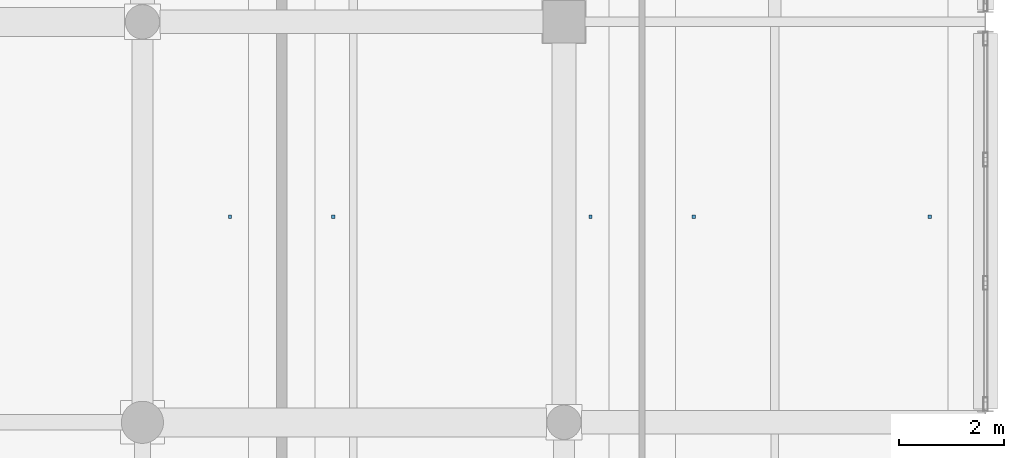
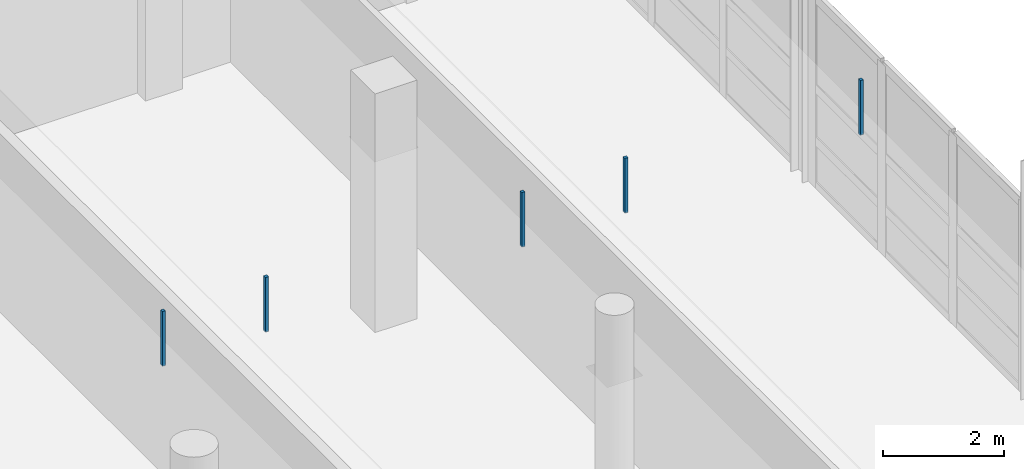
# One storey, part 114 of 147: 5 discrete accessories.
"""IFC4 building model written with IfcOpenShell, lengths in metres."""

import ifcopenshell
import ifcopenshell.guid

model = None  # the IFC model being written
_history = None  # IfcOwnerHistory: only IFC2X3 demands one
_inside = {}  # id of a spatial element -> (the spatial element, [elements in it])
_under = {}  # id of a project, library or spatial element -> (it, [spatial elements below it])
_declared = {}  # id of a project -> (the project, [libraries it declares])
_typed = {}  # id of a type object -> (the type object, [elements of that type])
_made_of = {}  # id of a material, layer set ... -> (it, [elements and type objects made of it])


def new_model(schema):
    """Start an empty IFC model of exactly this schema.

    Asked for "IFC4X3", IfcOpenShell would pick the latest addendum, in which some entities
    have other attributes; the version numbers below select the first issue.
    IFC2X3 requires an IfcOwnerHistory on every rooted entity: one is made here for all.
    """
    global model, _history
    if schema == "IFC4X3":
        model = ifcopenshell.file(schema_version=(4, 3, 0, 0))
    else:
        model = ifcopenshell.file(schema=schema)
    _inside.clear()
    _under.clear()
    _declared.clear()
    _typed.clear()
    _made_of.clear()
    _history = None
    if model.schema == "IFC2X3":
        org = make("IfcOrganization", Name="unknown")
        user = make(
            "IfcPersonAndOrganization",
            ThePerson=make("IfcPerson", FamilyName="unknown"),
            TheOrganization=org,
        )
        app = make(
            "IfcApplication",
            ApplicationDeveloper=org,
            Version="unknown",
            ApplicationFullName="unknown",
            ApplicationIdentifier="unknown",
        )
        _history = make(
            "IfcOwnerHistory",
            OwningUser=user,
            OwningApplication=app,
            ChangeAction="ADDED",
            CreationDate=0,
        )
    return model


def make(cls, **values):
    """One entity of the class cls with the attributes given. An attribute that is None is left unset."""
    return model.create_entity(
        cls, **{name: value for name, value in values.items() if value is not None}
    )


def rooted(cls, **values):
    """An entity with a GlobalId (a new one), such as an element, a storey or a relation."""
    return make(cls, GlobalId=ifcopenshell.guid.new(), OwnerHistory=_history, **values)


def si_unit(unit_type, name, prefix=None):
    """IfcSIUnit, for example si_unit("LENGTHUNIT", "METRE", prefix="MILLI")."""
    return make("IfcSIUnit", UnitType=unit_type, Prefix=prefix, Name=name)


def assignment(units):
    """IfcUnitAssignment: the units of a project."""
    return None if units is None else make("IfcUnitAssignment", Units=units)


def point(xyz):
    """IfcCartesianPoint."""
    return None if xyz is None else make("IfcCartesianPoint", Coordinates=xyz)


def direction(xyz):
    """IfcDirection."""
    return None if xyz is None else make("IfcDirection", DirectionRatios=xyz)


def frame(location, z_axis=None, x_axis=None):
    """IfcAxis2Placement3D, a coordinate frame: its origin and axes. An axis left out is left unset."""
    return make(
        "IfcAxis2Placement3D",
        Location=point(location),
        Axis=direction(z_axis),
        RefDirection=direction(x_axis),
    )


def frame_2d(location, x_axis=None):
    """IfcAxis2Placement2D, a coordinate frame in the plane: its origin and x axis."""
    return make(
        "IfcAxis2Placement2D", Location=point(location), RefDirection=direction(x_axis)
    )


def origin():
    """The frame at (0, 0, 0) with its axes left unset."""
    return frame((0.0, 0.0, 0.0))


def origin_2d():
    """The frame at (0, 0) in the plane with its x axis left unset."""
    return frame_2d((0.0, 0.0))


def place(relative_to, where):
    """IfcLocalPlacement: puts the frame where relative to a parent placement (None: the world)."""
    return make(
        "IfcLocalPlacement", PlacementRelTo=relative_to, RelativePlacement=where
    )


def context(
    kind, dimensions, precision=None, world=None, true_north=None, identifier=None
):
    """IfcGeometricRepresentationContext, for example the 3D "Model" context."""
    return make(
        "IfcGeometricRepresentationContext",
        ContextIdentifier=identifier,
        ContextType=kind,
        CoordinateSpaceDimension=dimensions,
        Precision=precision,
        WorldCoordinateSystem=world,
        TrueNorth=true_north,
    )


def subcontext(parent, identifier, kind, view, scale=None):
    """IfcGeometricRepresentationSubContext, for example "Body" below "Model"."""
    return make(
        "IfcGeometricRepresentationSubContext",
        ContextIdentifier=identifier,
        ContextType=kind,
        ParentContext=parent,
        TargetScale=scale,
        TargetView=view,
    )


def project(units=None, contexts=None):
    """IfcProject with its units and contexts."""
    return rooted(
        "IfcProject",
        Name="project",
        RepresentationContexts=contexts,
        UnitsInContext=assignment(units),
    )


def spatial(cls, under=None, at=None, **own):
    """A site, building, storey or space (cls), placed at a placement, below another one or the project."""
    s = rooted(cls, ObjectPlacement=at, **own)
    if under is not None:
        _under.setdefault(under.id(), (under, []))[1].append(s)
    return s


def profile(cls, at=None, kind="AREA", **sizes):
    """A parametric profile (cls). Its sizes go by their IFC names, for example OverallWidth=200.0."""
    return make(cls, ProfileType=kind, Position=at, **sizes)


def rectangle(**sizes):
    """IfcRectangleProfileDef."""
    return profile("IfcRectangleProfileDef", **sizes)


def extrude(swept, where, along, depth):
    """IfcExtrudedAreaSolid: the profile swept, set in the frame where, extruded along a direction by depth."""
    return make(
        "IfcExtrudedAreaSolid",
        SweptArea=swept,
        Position=where,
        ExtrudedDirection=direction(along),
        Depth=depth,
    )


def shape(context_of_items, identifier, shape_type, items):
    """IfcShapeRepresentation: the items that make up one representation, for example the "Body"."""
    return make(
        "IfcShapeRepresentation",
        ContextOfItems=context_of_items,
        RepresentationIdentifier=identifier,
        RepresentationType=shape_type,
        Items=items,
    )


def material(Name=None, Category=None):
    """IfcMaterial."""
    return make("IfcMaterial", Name=Name, Category=Category)


def made_of(thing, what):
    """Note that an element or type object is made of a material, layer set ...; save() writes the relation."""
    if what is not None:
        _made_of.setdefault(what.id(), (what, []))[1].append(thing)
    return thing


def type_object(cls, material=None, **own):
    """A type object (cls), such as IfcWallType, which elements share."""
    return made_of(rooted(cls, **own), material)


def element(
    cls,
    number,
    at=None,
    inside=None,
    cuts=None,
    type_object=None,
    material=None,
    context=None,
    identifier="Body",
    shape_type=None,
    held_by="IfcProductDefinitionShape",
    body=None,
    shapes=None,
    **own,
):
    """One element of the class cls, such as IfcWall. Its Tag is "e" and its number.

    at: its placement. inside: the storey or other place that contains it. cuts: it is an
    opening in that element (IfcRelVoidsElement). A single representation is given by context,
    identifier, shape_type and body (its items); several are given by shapes. held_by: the class
    of the entity that holds the representations. save() writes the other relations.
    """
    e = rooted(cls, Tag="e%d" % number, ObjectPlacement=at, **own)
    if body is not None:
        shapes = [shape(context, identifier, shape_type, body)]
    if shapes is not None:
        e.Representation = make(held_by, Representations=shapes)
    if inside is not None:
        _inside.setdefault(inside.id(), (inside, []))[1].append(e)
    if cuts is not None:
        rooted(
            "IfcRelVoidsElement", RelatingBuildingElement=cuts, RelatedOpeningElement=e
        )
    if type_object is not None:
        _typed.setdefault(type_object.id(), (type_object, []))[1].append(e)
    return made_of(e, material)


def aggregate(whole, parts):
    """IfcRelAggregates: a whole, such as a stair, and the parts it consists of."""
    return rooted("IfcRelAggregates", RelatingObject=whole, RelatedObjects=parts)


def save(model, path):
    """Write the relations noted so far, then the file.

    IfcRelAggregates (storeys below a building ...), IfcRelContainedInSpatialStructure (elements
    in a storey), IfcRelDefinesByType, IfcRelAssociatesMaterial and IfcRelDeclares: one each for
    every whole, place, type object, material and project.
    """
    for whole, parts in _under.values():
        aggregate(whole, parts)
    for where, things in _inside.values():
        rooted(
            "IfcRelContainedInSpatialStructure",
            RelatedElements=things,
            RelatingStructure=where,
        )
    for kind, things in _typed.values():
        rooted("IfcRelDefinesByType", RelatedObjects=things, RelatingType=kind)
    for what, things in _made_of.values():
        rooted("IfcRelAssociatesMaterial", RelatedObjects=things, RelatingMaterial=what)
    for by, libraries in _declared.values():
        rooted("IfcRelDeclares", RelatingContext=by, RelatedDefinitions=libraries)
    model.write(path)


model = new_model("IFC4")

# Units and contexts
model_context = context("Model", 3, precision=1e-05, world=origin(), true_north=direction((0.0, 1.0)))
body_context = subcontext(model_context, "Body", "Model", "MODEL_VIEW")
ifc_project = project(units=[si_unit("LENGTHUNIT", "METRE"), si_unit("AREAUNIT", "SQUARE_METRE"), si_unit("VOLUMEUNIT", "CUBIC_METRE"), si_unit("PLANEANGLEUNIT", "RADIAN"), si_unit("MASSUNIT", "GRAM", prefix="KILO")], contexts=[model_context])

# Site, building, storey
site_placement = place(None, origin())
site = spatial("IfcSite", under=ifc_project, at=site_placement, CompositionType="ELEMENT")
building_placement = place(site_placement, origin())
building = spatial("IfcBuilding", under=site, at=building_placement, Name="Khelvaren Railside Concert Hall", CompositionType="ELEMENT")
storey_placement = place(building_placement, frame((0.0, 0.0, 5.39990234375)))
storey = spatial("IfcBuildingStorey", under=building, at=storey_placement, Name="L01", CompositionType="ELEMENT", Elevation=5.39990234375)

# Discrete accessories
ifc_material = material(Name="Galvanised steel acoustic ceiling hanger rod", Category="steel")
discrete_accessory_type = type_object("IfcDiscreteAccessoryType", Name="BRK62", PredefinedType="BRACKET", material=ifc_material)
for number, where, z_axis, x_axis, name in (
    (1, (169.662109375, 11.5, 3.429931640625), (0.0, 0.0, 1.0), (1.0, 0.0, 0.0), "Acoustic Ceiling Suspension Bracket 44-2"),
    (2, (171.6220703125, 11.5, 3.429931640625), (0.0, 0.0, 1.0), (1.0, 0.0, 0.0), "Acoustic Ceiling Suspension Bracket 45-1"),
    (3, (176.501953125, 11.5, 3.429931640625), (0.0, 0.0, 1.0), (1.0, 0.0, 0.0), "Acoustic Ceiling Suspension Bracket 45-2"),
    (4, (178.4619140625, 11.5, 3.429931640625), (0.0, 0.0, 1.0), (1.0, 0.0, 0.0), "Acoustic Ceiling Suspension Bracket 46-1"),
    (5, (182.93994140625, 11.5, 3.429931640625), (0.0, 0.0, 1.0), (1.0, 0.0, 0.0), "Acoustic Ceiling Suspension Bracket 46-2"),
):
    element("IfcDiscreteAccessory", number, at=place(storey_placement, frame(where, z_axis=z_axis, x_axis=x_axis)), inside=storey, type_object=discrete_accessory_type, Name=name, PredefinedType="BRACKET", context=body_context, shape_type="SweptSolid", body=[
        extrude(rectangle(XDim=0.06005859375, YDim=0.06005859375, at=origin_2d()), origin(), (0.0, 0.0, 1.0), 1.10009765625),
    ])

save(model, "model.ifc")
